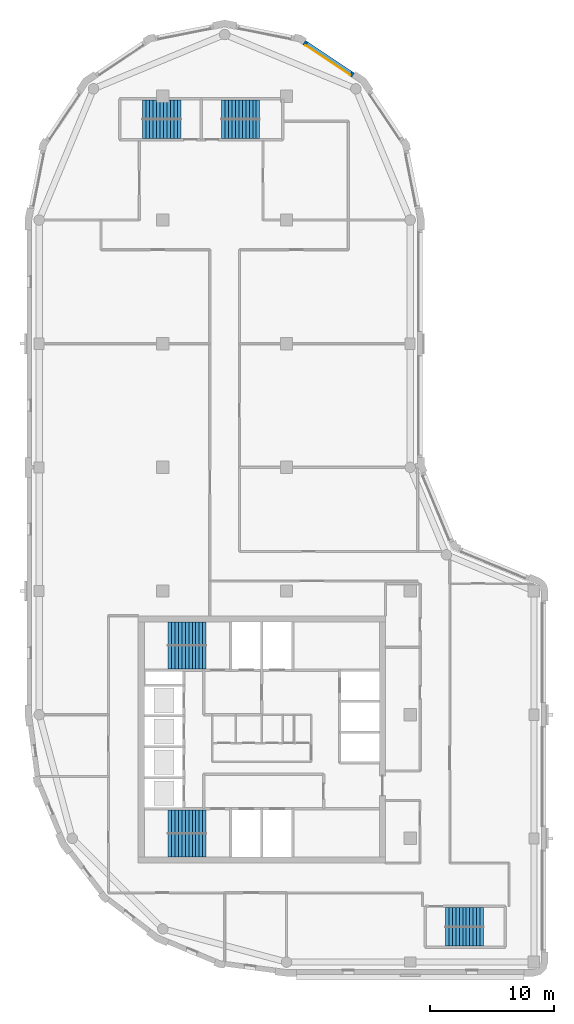
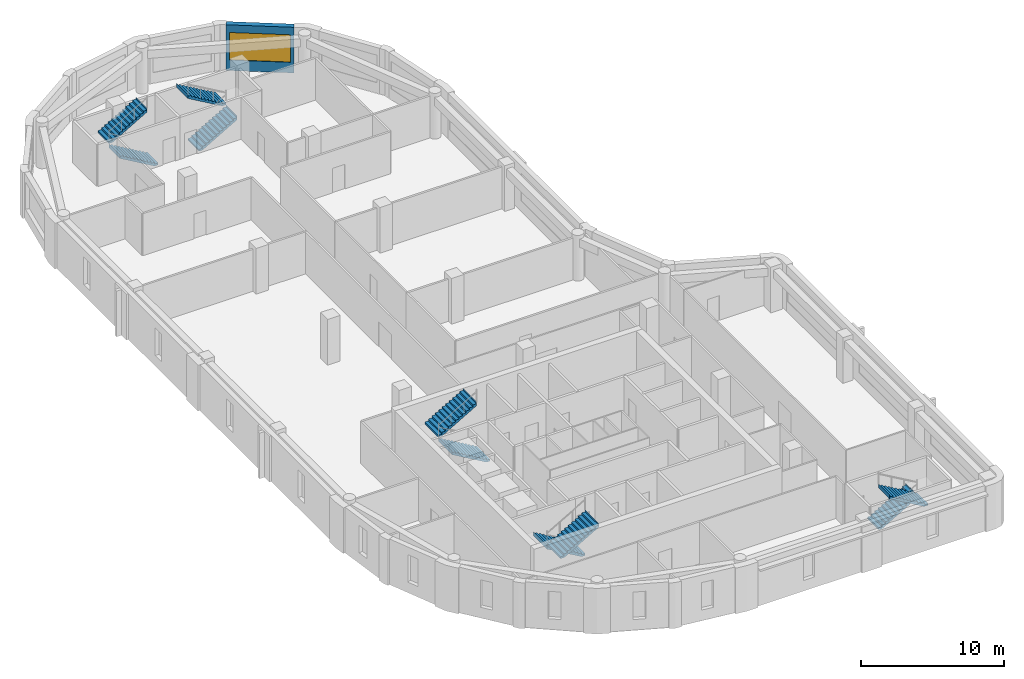
# One storey, part 6 of 8: 10 stair flights, 1 wall, 1 window, 1 opening, 5 elements without a shape of their own.
"""IFC4 building model written with IfcOpenShell, lengths in metres."""

import ifcopenshell
import ifcopenshell.guid

model = None  # the IFC model being written
_history = None  # IfcOwnerHistory: only IFC2X3 demands one
_inside = {}  # id of a spatial element -> (the spatial element, [elements in it])
_under = {}  # id of a project, library or spatial element -> (it, [spatial elements below it])
_declared = {}  # id of a project -> (the project, [libraries it declares])
_typed = {}  # id of a type object -> (the type object, [elements of that type])
_made_of = {}  # id of a material, layer set ... -> (it, [elements and type objects made of it])


def new_model(schema):
    """Start an empty IFC model of exactly this schema.

    Asked for "IFC4X3", IfcOpenShell would pick the latest addendum, in which some entities
    have other attributes; the version numbers below select the first issue.
    IFC2X3 requires an IfcOwnerHistory on every rooted entity: one is made here for all.
    """
    global model, _history
    if schema == "IFC4X3":
        model = ifcopenshell.file(schema_version=(4, 3, 0, 0))
    else:
        model = ifcopenshell.file(schema=schema)
    _inside.clear()
    _under.clear()
    _declared.clear()
    _typed.clear()
    _made_of.clear()
    _history = None
    if model.schema == "IFC2X3":
        org = make("IfcOrganization", Name="unknown")
        user = make(
            "IfcPersonAndOrganization",
            ThePerson=make("IfcPerson", FamilyName="unknown"),
            TheOrganization=org,
        )
        app = make(
            "IfcApplication",
            ApplicationDeveloper=org,
            Version="unknown",
            ApplicationFullName="unknown",
            ApplicationIdentifier="unknown",
        )
        _history = make(
            "IfcOwnerHistory",
            OwningUser=user,
            OwningApplication=app,
            ChangeAction="ADDED",
            CreationDate=0,
        )
    return model


def make(cls, **values):
    """One entity of the class cls with the attributes given. An attribute that is None is left unset."""
    return model.create_entity(
        cls, **{name: value for name, value in values.items() if value is not None}
    )


def rooted(cls, **values):
    """An entity with a GlobalId (a new one), such as an element, a storey or a relation."""
    return make(cls, GlobalId=ifcopenshell.guid.new(), OwnerHistory=_history, **values)


def si_unit(unit_type, name, prefix=None):
    """IfcSIUnit, for example si_unit("LENGTHUNIT", "METRE", prefix="MILLI")."""
    return make("IfcSIUnit", UnitType=unit_type, Prefix=prefix, Name=name)


def assignment(units):
    """IfcUnitAssignment: the units of a project."""
    return None if units is None else make("IfcUnitAssignment", Units=units)


def point(xyz):
    """IfcCartesianPoint."""
    return None if xyz is None else make("IfcCartesianPoint", Coordinates=xyz)


def direction(xyz):
    """IfcDirection."""
    return None if xyz is None else make("IfcDirection", DirectionRatios=xyz)


def frame(location, z_axis=None, x_axis=None):
    """IfcAxis2Placement3D, a coordinate frame: its origin and axes. An axis left out is left unset."""
    return make(
        "IfcAxis2Placement3D",
        Location=point(location),
        Axis=direction(z_axis),
        RefDirection=direction(x_axis),
    )


def frame_2d(location, x_axis=None):
    """IfcAxis2Placement2D, a coordinate frame in the plane: its origin and x axis."""
    return make(
        "IfcAxis2Placement2D", Location=point(location), RefDirection=direction(x_axis)
    )


def origin():
    """The frame at (0, 0, 0) with its axes left unset."""
    return frame((0.0, 0.0, 0.0))


def place(relative_to, where):
    """IfcLocalPlacement: puts the frame where relative to a parent placement (None: the world)."""
    return make(
        "IfcLocalPlacement", PlacementRelTo=relative_to, RelativePlacement=where
    )


def context(
    kind, dimensions, precision=None, world=None, true_north=None, identifier=None
):
    """IfcGeometricRepresentationContext, for example the 3D "Model" context."""
    return make(
        "IfcGeometricRepresentationContext",
        ContextIdentifier=identifier,
        ContextType=kind,
        CoordinateSpaceDimension=dimensions,
        Precision=precision,
        WorldCoordinateSystem=world,
        TrueNorth=true_north,
    )


def subcontext(parent, identifier, kind, view, scale=None):
    """IfcGeometricRepresentationSubContext, for example "Body" below "Model"."""
    return make(
        "IfcGeometricRepresentationSubContext",
        ContextIdentifier=identifier,
        ContextType=kind,
        ParentContext=parent,
        TargetScale=scale,
        TargetView=view,
    )


def project(units=None, contexts=None):
    """IfcProject with its units and contexts."""
    return rooted(
        "IfcProject",
        Name="project",
        RepresentationContexts=contexts,
        UnitsInContext=assignment(units),
    )


def spatial(cls, under=None, at=None, **own):
    """A site, building, storey or space (cls), placed at a placement, below another one or the project."""
    s = rooted(cls, ObjectPlacement=at, **own)
    if under is not None:
        _under.setdefault(under.id(), (under, []))[1].append(s)
    return s


def polyline(points):
    """IfcPolyline through the points."""
    return make("IfcPolyline", Points=[point(p) for p in points])


def profile(cls, at=None, kind="AREA", **sizes):
    """A parametric profile (cls). Its sizes go by their IFC names, for example OverallWidth=200.0."""
    return make(cls, ProfileType=kind, Position=at, **sizes)


def rectangle(**sizes):
    """IfcRectangleProfileDef."""
    return profile("IfcRectangleProfileDef", **sizes)


def outline(outer, holes=None, kind="AREA"):
    """IfcArbitraryClosedProfileDef: a profile drawn as a closed curve; with holes, ...WithVoids."""
    if holes is None:
        return make("IfcArbitraryClosedProfileDef", ProfileType=kind, OuterCurve=outer)
    return make(
        "IfcArbitraryProfileDefWithVoids",
        ProfileType=kind,
        OuterCurve=outer,
        InnerCurves=holes,
    )


def extrude(swept, where, along, depth):
    """IfcExtrudedAreaSolid: the profile swept, set in the frame where, extruded along a direction by depth."""
    return make(
        "IfcExtrudedAreaSolid",
        SweptArea=swept,
        Position=where,
        ExtrudedDirection=direction(along),
        Depth=depth,
    )


def shape(context_of_items, identifier, shape_type, items):
    """IfcShapeRepresentation: the items that make up one representation, for example the "Body"."""
    return make(
        "IfcShapeRepresentation",
        ContextOfItems=context_of_items,
        RepresentationIdentifier=identifier,
        RepresentationType=shape_type,
        Items=items,
    )


def material(Name=None, Category=None):
    """IfcMaterial."""
    return make("IfcMaterial", Name=Name, Category=Category)


def layer(
    of_material, thickness, ventilated=None, Name=None, Category=None, Priority=None
):
    """IfcMaterialLayer: one layer of a wall or slab, of a material (None: an air gap)."""
    return make(
        "IfcMaterialLayer",
        Material=of_material,
        LayerThickness=thickness,
        IsVentilated=ventilated,
        Name=Name,
        Category=Category,
        Priority=Priority,
    )


def layer_set(layers, Name=None):
    """IfcMaterialLayerSet."""
    return make("IfcMaterialLayerSet", MaterialLayers=layers, LayerSetName=Name)


def made_of(thing, what):
    """Note that an element or type object is made of a material, layer set ...; save() writes the relation."""
    if what is not None:
        _made_of.setdefault(what.id(), (what, []))[1].append(thing)
    return thing


def type_object(cls, material=None, **own):
    """A type object (cls), such as IfcWallType, which elements share."""
    return made_of(rooted(cls, **own), material)


def element(
    cls,
    number,
    at=None,
    inside=None,
    cuts=None,
    type_object=None,
    material=None,
    context=None,
    identifier="Body",
    shape_type=None,
    held_by="IfcProductDefinitionShape",
    body=None,
    shapes=None,
    **own,
):
    """One element of the class cls, such as IfcWall. Its Tag is "e" and its number.

    at: its placement. inside: the storey or other place that contains it. cuts: it is an
    opening in that element (IfcRelVoidsElement). A single representation is given by context,
    identifier, shape_type and body (its items); several are given by shapes. held_by: the class
    of the entity that holds the representations. save() writes the other relations.
    """
    e = rooted(cls, Tag="e%d" % number, ObjectPlacement=at, **own)
    if body is not None:
        shapes = [shape(context, identifier, shape_type, body)]
    if shapes is not None:
        e.Representation = make(held_by, Representations=shapes)
    if inside is not None:
        _inside.setdefault(inside.id(), (inside, []))[1].append(e)
    if cuts is not None:
        rooted(
            "IfcRelVoidsElement", RelatingBuildingElement=cuts, RelatedOpeningElement=e
        )
    if type_object is not None:
        _typed.setdefault(type_object.id(), (type_object, []))[1].append(e)
    return made_of(e, material)


def fill(opening, filler):
    """IfcRelFillsElement: the door or window that sits in an opening."""
    return rooted(
        "IfcRelFillsElement",
        RelatingOpeningElement=opening,
        RelatedBuildingElement=filler,
    )


def aggregate(whole, parts):
    """IfcRelAggregates: a whole, such as a stair, and the parts it consists of."""
    return rooted("IfcRelAggregates", RelatingObject=whole, RelatedObjects=parts)


def save(model, path):
    """Write the relations noted so far, then the file.

    IfcRelAggregates (storeys below a building ...), IfcRelContainedInSpatialStructure (elements
    in a storey), IfcRelDefinesByType, IfcRelAssociatesMaterial and IfcRelDeclares: one each for
    every whole, place, type object, material and project.
    """
    for whole, parts in _under.values():
        aggregate(whole, parts)
    for where, things in _inside.values():
        rooted(
            "IfcRelContainedInSpatialStructure",
            RelatedElements=things,
            RelatingStructure=where,
        )
    for kind, things in _typed.values():
        rooted("IfcRelDefinesByType", RelatedObjects=things, RelatingType=kind)
    for what, things in _made_of.values():
        rooted("IfcRelAssociatesMaterial", RelatedObjects=things, RelatingMaterial=what)
    for by, libraries in _declared.values():
        rooted("IfcRelDeclares", RelatingContext=by, RelatedDefinitions=libraries)
    model.write(path)


model = new_model("IFC4")

# Units and contexts
model_context = context("Model", 3, precision=1e-05, world=origin(), true_north=direction((0.0, 1.0)))
body_context = subcontext(model_context, "Body", "Model", "MODEL_VIEW")
ifc_project = project(units=[si_unit("LENGTHUNIT", "METRE"), si_unit("AREAUNIT", "SQUARE_METRE"), si_unit("VOLUMEUNIT", "CUBIC_METRE"), si_unit("PLANEANGLEUNIT", "RADIAN"), si_unit("MASSUNIT", "GRAM", prefix="KILO")], contexts=[model_context])

# Site, building, storey
site_placement = place(None, origin())
site = spatial("IfcSite", under=ifc_project, at=site_placement, CompositionType="ELEMENT")
building_placement = place(site_placement, origin())
building = spatial("IfcBuilding", under=site, at=building_placement, Name="Qaws Garden Tower", CompositionType="ELEMENT")
storey_placement = place(building_placement, frame((0.0, 0.0, 294.300048828125)))
storey = spatial("IfcBuildingStorey", under=building, at=storey_placement, Name="L71", CompositionType="ELEMENT", Elevation=294.300048828125)

# Wall, opening, window
ifc_material_1 = material(Name="Clay facing brick masonry", Category="masonry")
ifc_layer = layer(ifc_material_1, 0.39990234375)
ifc_layer_set = layer_set([ifc_layer], Name="Clay facing brick masonry")
wall_type = type_object("IfcWallType", Name="Brick infill wall 400", PredefinedType="SOLIDWALL", material=ifc_layer_set)
wall_placement = place(storey_placement, frame((25.385986328125, 71.71630859375, 0.0), z_axis=(0.0, 0.0, 1.0), x_axis=(-0.831488775454, 0.555541552266, 0.0)))
wall = element("IfcWall", 1, at=wall_placement, inside=storey, type_object=wall_type, Name="E-L71-infill-11", PredefinedType="SOLIDWALL", context=body_context, shape_type="SweptSolid", body=[
    extrude(rectangle(XDim=4.752685546875, YDim=0.39990234375, at=frame_2d((2.37646484375, 0.0))), origin(), (0.0, 0.0, 1.0), 3.89990234375),
])
opening_placement = place(wall_placement, frame((0.226318359375, 0.0, 0.89990234375)))
opening = element("IfcOpeningElement", 2, at=opening_placement, cuts=wall, Name="Opening W06", PredefinedType="OPENING", context=body_context, shape_type="SweptSolid", body=[
    extrude(rectangle(XDim=4.300048828125, YDim=2.35009765625, at=frame_2d((2.14990234375, 1.175048828125))), frame((0.0, 0.2099609375, 0.0), z_axis=(0.0, -1.0, 0.0), x_axis=(1.0, 0.0, 0.0)), (0.0, 0.0, 1.0), 0.419921875),
])
ifc_material_2 = material(Name="Aluminium framed window, clear glazing", Category="aluminium")
window_type = type_object("IfcWindowType", Name="Ribbon window 4300 x 2350", PartitioningType="DOUBLE_PANEL_VERTICAL", PredefinedType="WINDOW", material=ifc_material_2)
window_placement = place(opening_placement, origin())
window = element("IfcWindow", 3, at=window_placement, inside=storey, type_object=window_type, Name="E-L71-window-11-0", OverallHeight=2.35009765625, OverallWidth=4.300048828125, PartitioningType="SINGLE_PANEL", PredefinedType="WINDOW", context=body_context, shape_type="SweptSolid", body=[
    extrude(rectangle(XDim=4.300048828125, YDim=2.35009765625, at=frame_2d((2.14990234375, 1.175048828125))), frame((0.0, 0.159912109375, 0.0), z_axis=(0.0, -1.0, 0.0), x_axis=(1.0, 0.0, 0.0)), (0.0, 0.0, 1.0), 0.06005859375),
])
fill(opening, window)

# Stair, stair flights
ifc_material_3 = material(Name="Concrete C40", Category="concrete")
stair_type_1 = type_object("IfcStairType", Name="Exit stair 1350", PredefinedType="HALF_TURN_STAIR", material=ifc_material_3)
placement = place(storey_placement, origin())
stair_1 = element("IfcStair", 4, at=placement, inside=storey, type_object=stair_type_1, Name="Stair 5", PredefinedType="HALF_TURN_STAIR")
ifc_material_4 = material(Name="Concrete C40", Category="concrete")
stair_flight_type_1 = type_object("IfcStairFlightType", Name="Stair flight 1350", PredefinedType="STRAIGHT", material=ifc_material_4)
stair_flight_1_placement = place(storey_placement, frame((32.85009765625, 3.625, 0.0), z_axis=(0.0, 0.0, 1.0), x_axis=(1.0, 0.0, 0.0)))
stair_flight_1 = element("IfcStairFlight", 5, at=stair_flight_1_placement, type_object=stair_flight_type_1, Name="ST5 flight 1", NumberOfRisers=12, NumberOfTreads=11, PredefinedType="STRAIGHT", RiserHeight=0.1625, TreadLength=0.28, context=body_context, shape_type="SweptSolid", body=[
    extrude(outline(polyline([(-0.0029296875, 0.0), (-0.0029296875, 0.16259765625), (0.0, 0.16259765625), (0.280029296875, 0.16259765625), (0.280029296875, 0.324951171875), (0.56005859375, 0.324951171875), (0.56005859375, 0.487548828125), (0.840087890625, 0.487548828125), (0.840087890625, 0.64990234375), (1.1201171875, 0.64990234375), (1.1201171875, 0.8125), (1.39990234375, 0.8125), (1.39990234375, 0.97509765625), (1.679931640625, 0.97509765625), (1.679931640625, 1.137451171875), (1.9599609375, 1.137451171875), (1.9599609375, 1.300048828125), (2.239990234375, 1.300048828125), (2.239990234375, 1.46240234375), (2.52001953125, 1.46240234375), (2.52001953125, 1.625), (2.800048828125, 1.625), (2.800048828125, 1.78759765625), (3.080078125, 1.78759765625), (3.080078125, 1.949951171875), (3.0830078125, 1.949951171875), (3.0830078125, 1.6142578125), (3.080078125, 1.6142578125), (0.298583984375, 0.0), (-0.0029296875, 0.0)])), frame((0.0, 0.77490234375, 0.0), z_axis=(0.0, -1.0, 0.0), x_axis=(1.0, 0.0, 0.0)), (0.0, 0.0, 1.0), 1.550048828125),
])
stair_flight_2_placement = place(storey_placement, frame((35.929931640625, 2.074951171875, 1.949951171875), z_axis=(0.0, 0.0, 1.0), x_axis=(-1.0, 0.0, 0.0)))
stair_flight_2 = element("IfcStairFlight", 6, at=stair_flight_2_placement, type_object=stair_flight_type_1, Name="ST5 flight 2", NumberOfRisers=12, NumberOfTreads=11, PredefinedType="STRAIGHT", RiserHeight=0.1625, TreadLength=0.28, context=body_context, shape_type="SweptSolid", body=[
    extrude(outline(polyline([(-0.0029296875, 0.0), (-0.0029296875, 0.16259765625), (0.0, 0.16259765625), (0.280029296875, 0.16259765625), (0.280029296875, 0.324951171875), (0.56005859375, 0.324951171875), (0.56005859375, 0.487548828125), (0.840087890625, 0.487548828125), (0.840087890625, 0.64990234375), (1.1201171875, 0.64990234375), (1.1201171875, 0.8125), (1.39990234375, 0.8125), (1.39990234375, 0.97509765625), (1.679931640625, 0.97509765625), (1.679931640625, 1.137451171875), (1.9599609375, 1.137451171875), (1.9599609375, 1.300048828125), (2.239990234375, 1.300048828125), (2.239990234375, 1.46240234375), (2.52001953125, 1.46240234375), (2.52001953125, 1.625), (2.800048828125, 1.625), (2.800048828125, 1.78759765625), (3.080078125, 1.78759765625), (3.080078125, 1.949951171875), (3.0830078125, 1.949951171875), (3.0830078125, 1.6142578125), (3.080078125, 1.6142578125), (0.298583984375, 0.0), (-0.0029296875, 0.0)])), frame((0.0, 0.77490234375, 0.0), z_axis=(0.0, -1.0, 0.0), x_axis=(1.0, 0.0, 0.0)), (0.0, 0.0, 1.0), 1.550048828125),
])
aggregate(stair_1, [stair_flight_1, stair_flight_2])

stair_2 = element("IfcStair", 7, at=placement, inside=storey, type_object=stair_type_1, Name="Stair 6", PredefinedType="HALF_TURN_STAIR")
stair_flight_3_placement = place(storey_placement, frame((11.449951171875, 67.375, 0.0), z_axis=(0.0, 0.0, 1.0), x_axis=(-1.0, 0.0, 0.0)))
stair_flight_3 = element("IfcStairFlight", 8, at=stair_flight_3_placement, type_object=stair_flight_type_1, Name="ST6 flight 1", NumberOfRisers=12, NumberOfTreads=11, PredefinedType="STRAIGHT", RiserHeight=0.1625, TreadLength=0.28, context=body_context, shape_type="SweptSolid", body=[
    extrude(outline(polyline([(-0.0029296875, 0.0), (-0.0029296875, 0.16259765625), (0.0, 0.16259765625), (0.280029296875, 0.16259765625), (0.280029296875, 0.324951171875), (0.56005859375, 0.324951171875), (0.56005859375, 0.487548828125), (0.840087890625, 0.487548828125), (0.840087890625, 0.64990234375), (1.1201171875, 0.64990234375), (1.1201171875, 0.8125), (1.39990234375, 0.8125), (1.39990234375, 0.97509765625), (1.679931640625, 0.97509765625), (1.679931640625, 1.137451171875), (1.9599609375, 1.137451171875), (1.9599609375, 1.300048828125), (2.239990234375, 1.300048828125), (2.239990234375, 1.46240234375), (2.52001953125, 1.46240234375), (2.52001953125, 1.625), (2.800048828125, 1.625), (2.800048828125, 1.78759765625), (3.080078125, 1.78759765625), (3.080078125, 1.949951171875), (3.0830078125, 1.949951171875), (3.0830078125, 1.6142578125), (3.080078125, 1.6142578125), (0.298583984375, 0.0), (-0.0029296875, 0.0)])), frame((0.0, 0.77490234375, 0.0), z_axis=(0.0, -1.0, 0.0), x_axis=(1.0, 0.0, 0.0)), (0.0, 0.0, 1.0), 1.550048828125),
])
stair_flight_4_placement = place(storey_placement, frame((8.3701171875, 68.925048828125, 1.949951171875), z_axis=(0.0, 0.0, 1.0), x_axis=(1.0, 0.0, 0.0)))
stair_flight_4 = element("IfcStairFlight", 9, at=stair_flight_4_placement, type_object=stair_flight_type_1, Name="ST6 flight 2", NumberOfRisers=12, NumberOfTreads=11, PredefinedType="STRAIGHT", RiserHeight=0.1625, TreadLength=0.28, context=body_context, shape_type="SweptSolid", body=[
    extrude(outline(polyline([(-0.0029296875, 0.0), (-0.0029296875, 0.16259765625), (0.0, 0.16259765625), (0.280029296875, 0.16259765625), (0.280029296875, 0.324951171875), (0.56005859375, 0.324951171875), (0.56005859375, 0.487548828125), (0.840087890625, 0.487548828125), (0.840087890625, 0.64990234375), (1.1201171875, 0.64990234375), (1.1201171875, 0.8125), (1.39990234375, 0.8125), (1.39990234375, 0.97509765625), (1.679931640625, 0.97509765625), (1.679931640625, 1.137451171875), (1.9599609375, 1.137451171875), (1.9599609375, 1.300048828125), (2.239990234375, 1.300048828125), (2.239990234375, 1.46240234375), (2.52001953125, 1.46240234375), (2.52001953125, 1.625), (2.800048828125, 1.625), (2.800048828125, 1.78759765625), (3.080078125, 1.78759765625), (3.080078125, 1.949951171875), (3.0830078125, 1.949951171875), (3.0830078125, 1.6142578125), (3.080078125, 1.6142578125), (0.298583984375, 0.0), (-0.0029296875, 0.0)])), frame((0.0, 0.77490234375, 0.0), z_axis=(0.0, -1.0, 0.0), x_axis=(1.0, 0.0, 0.0)), (0.0, 0.0, 1.0), 1.550048828125),
])
aggregate(stair_2, [stair_flight_3, stair_flight_4])

stair_3 = element("IfcStair", 10, at=placement, inside=storey, type_object=stair_type_1, Name="Stair 7", PredefinedType="HALF_TURN_STAIR")
stair_flight_5_placement = place(storey_placement, frame((14.75, 67.375, 0.0), z_axis=(0.0, 0.0, 1.0), x_axis=(1.0, 0.0, 0.0)))
stair_flight_5 = element("IfcStairFlight", 11, at=stair_flight_5_placement, type_object=stair_flight_type_1, Name="ST7 flight 1", NumberOfRisers=12, NumberOfTreads=11, PredefinedType="STRAIGHT", RiserHeight=0.1625, TreadLength=0.28, context=body_context, shape_type="SweptSolid", body=[
    extrude(outline(polyline([(-0.0029296875, 0.0), (-0.0029296875, 0.16259765625), (0.0, 0.16259765625), (0.280029296875, 0.16259765625), (0.280029296875, 0.324951171875), (0.56005859375, 0.324951171875), (0.56005859375, 0.487548828125), (0.840087890625, 0.487548828125), (0.840087890625, 0.64990234375), (1.1201171875, 0.64990234375), (1.1201171875, 0.8125), (1.39990234375, 0.8125), (1.39990234375, 0.97509765625), (1.679931640625, 0.97509765625), (1.679931640625, 1.137451171875), (1.9599609375, 1.137451171875), (1.9599609375, 1.300048828125), (2.239990234375, 1.300048828125), (2.239990234375, 1.46240234375), (2.52001953125, 1.46240234375), (2.52001953125, 1.625), (2.800048828125, 1.625), (2.800048828125, 1.78759765625), (3.080078125, 1.78759765625), (3.080078125, 1.949951171875), (3.0830078125, 1.949951171875), (3.0830078125, 1.6142578125), (3.080078125, 1.6142578125), (0.298583984375, 0.0), (-0.0029296875, 0.0)])), frame((0.0, 0.77490234375, 0.0), z_axis=(0.0, -1.0, 0.0), x_axis=(1.0, 0.0, 0.0)), (0.0, 0.0, 1.0), 1.550048828125),
])
stair_flight_6_placement = place(storey_placement, frame((17.830078125, 68.925048828125, 1.949951171875), z_axis=(0.0, 0.0, 1.0), x_axis=(-1.0, 0.0, 0.0)))
stair_flight_6 = element("IfcStairFlight", 12, at=stair_flight_6_placement, type_object=stair_flight_type_1, Name="ST7 flight 2", NumberOfRisers=12, NumberOfTreads=11, PredefinedType="STRAIGHT", RiserHeight=0.1625, TreadLength=0.28, context=body_context, shape_type="SweptSolid", body=[
    extrude(outline(polyline([(-0.0029296875, 0.0), (-0.0029296875, 0.16259765625), (0.0, 0.16259765625), (0.280029296875, 0.16259765625), (0.280029296875, 0.324951171875), (0.56005859375, 0.324951171875), (0.56005859375, 0.487548828125), (0.840087890625, 0.487548828125), (0.840087890625, 0.64990234375), (1.1201171875, 0.64990234375), (1.1201171875, 0.8125), (1.39990234375, 0.8125), (1.39990234375, 0.97509765625), (1.679931640625, 0.97509765625), (1.679931640625, 1.137451171875), (1.9599609375, 1.137451171875), (1.9599609375, 1.300048828125), (2.239990234375, 1.300048828125), (2.239990234375, 1.46240234375), (2.52001953125, 1.46240234375), (2.52001953125, 1.625), (2.800048828125, 1.625), (2.800048828125, 1.78759765625), (3.080078125, 1.78759765625), (3.080078125, 1.949951171875), (3.0830078125, 1.949951171875), (3.0830078125, 1.6142578125), (3.080078125, 1.6142578125), (0.298583984375, 0.0), (-0.0029296875, 0.0)])), frame((0.0, 0.77490234375, 0.0), z_axis=(0.0, -1.0, 0.0), x_axis=(1.0, 0.0, 0.0)), (0.0, 0.0, 1.0), 1.550048828125),
])
aggregate(stair_3, [stair_flight_5, stair_flight_6])

ifc_material_5 = material(Name="Concrete C40", Category="concrete")
stair_type_2 = type_object("IfcStairType", Name="Exit stair 1500", PredefinedType="HALF_TURN_STAIR", material=ifc_material_5)
stair_4 = element("IfcStair", 13, at=placement, inside=storey, type_object=stair_type_2, Name="Stair 1", PredefinedType="HALF_TURN_STAIR")
ifc_material_6 = material(Name="Concrete C40", Category="concrete")
stair_flight_type_2 = type_object("IfcStairFlightType", Name="Stair flight 1500", PredefinedType="STRAIGHT", material=ifc_material_6)
stair_flight_7_placement = place(storey_placement, frame((13.5, 11.35009765625, 0.0), z_axis=(0.0, 0.0, 1.0), x_axis=(-1.0, 0.0, 0.0)))
stair_flight_7 = element("IfcStairFlight", 14, at=stair_flight_7_placement, type_object=stair_flight_type_2, Name="ST1 flight 1", NumberOfRisers=12, NumberOfTreads=11, PredefinedType="STRAIGHT", RiserHeight=0.1625, TreadLength=0.28, context=body_context, shape_type="SweptSolid", body=[
    extrude(outline(polyline([(-0.0029296875, 0.0), (-0.0029296875, 0.16259765625), (0.0, 0.16259765625), (0.280029296875, 0.16259765625), (0.280029296875, 0.324951171875), (0.56005859375, 0.324951171875), (0.56005859375, 0.487548828125), (0.840087890625, 0.487548828125), (0.840087890625, 0.64990234375), (1.1201171875, 0.64990234375), (1.1201171875, 0.8125), (1.39990234375, 0.8125), (1.39990234375, 0.97509765625), (1.679931640625, 0.97509765625), (1.679931640625, 1.137451171875), (1.9599609375, 1.137451171875), (1.9599609375, 1.300048828125), (2.239990234375, 1.300048828125), (2.239990234375, 1.46240234375), (2.52001953125, 1.46240234375), (2.52001953125, 1.625), (2.800048828125, 1.625), (2.800048828125, 1.78759765625), (3.080078125, 1.78759765625), (3.080078125, 1.949951171875), (3.0830078125, 1.949951171875), (3.0830078125, 1.6142578125), (3.080078125, 1.6142578125), (0.298583984375, 0.0), (-0.0029296875, 0.0)])), frame((0.0, 0.949951171875, 0.0), z_axis=(0.0, -1.0, 0.0), x_axis=(1.0, 0.0, 0.0)), (0.0, 0.0, 1.0), 1.89990234375),
])
stair_flight_8_placement = place(storey_placement, frame((10.419921875, 9.449951171875, 1.949951171875), z_axis=(0.0, 0.0, 1.0), x_axis=(1.0, 0.0, 0.0)))
stair_flight_8 = element("IfcStairFlight", 15, at=stair_flight_8_placement, type_object=stair_flight_type_2, Name="ST1 flight 2", NumberOfRisers=12, NumberOfTreads=11, PredefinedType="STRAIGHT", RiserHeight=0.1625, TreadLength=0.28, context=body_context, shape_type="SweptSolid", body=[
    extrude(outline(polyline([(-0.0029296875, 0.0), (-0.0029296875, 0.16259765625), (0.0, 0.16259765625), (0.280029296875, 0.16259765625), (0.280029296875, 0.324951171875), (0.56005859375, 0.324951171875), (0.56005859375, 0.487548828125), (0.840087890625, 0.487548828125), (0.840087890625, 0.64990234375), (1.1201171875, 0.64990234375), (1.1201171875, 0.8125), (1.39990234375, 0.8125), (1.39990234375, 0.97509765625), (1.679931640625, 0.97509765625), (1.679931640625, 1.137451171875), (1.9599609375, 1.137451171875), (1.9599609375, 1.300048828125), (2.239990234375, 1.300048828125), (2.239990234375, 1.46240234375), (2.52001953125, 1.46240234375), (2.52001953125, 1.625), (2.800048828125, 1.625), (2.800048828125, 1.78759765625), (3.080078125, 1.78759765625), (3.080078125, 1.949951171875), (3.0830078125, 1.949951171875), (3.0830078125, 1.6142578125), (3.080078125, 1.6142578125), (0.298583984375, 0.0), (-0.0029296875, 0.0)])), frame((0.0, 0.949951171875, 0.0), z_axis=(0.0, -1.0, 0.0), x_axis=(1.0, 0.0, 0.0)), (0.0, 0.0, 1.0), 1.89990234375),
])
aggregate(stair_4, [stair_flight_7, stair_flight_8])

stair_5 = element("IfcStair", 16, at=placement, inside=storey, type_object=stair_type_2, Name="Stair 4", PredefinedType="HALF_TURN_STAIR")
stair_flight_9_placement = place(storey_placement, frame((13.5, 24.64990234375, 0.0), z_axis=(0.0, 0.0, 1.0), x_axis=(-1.0, 0.0, 0.0)))
stair_flight_9 = element("IfcStairFlight", 17, at=stair_flight_9_placement, type_object=stair_flight_type_2, Name="ST4 flight 1", NumberOfRisers=12, NumberOfTreads=11, PredefinedType="STRAIGHT", RiserHeight=0.1625, TreadLength=0.28, context=body_context, shape_type="SweptSolid", body=[
    extrude(outline(polyline([(-0.0029296875, 0.0), (-0.0029296875, 0.16259765625), (0.0, 0.16259765625), (0.280029296875, 0.16259765625), (0.280029296875, 0.324951171875), (0.56005859375, 0.324951171875), (0.56005859375, 0.487548828125), (0.840087890625, 0.487548828125), (0.840087890625, 0.64990234375), (1.1201171875, 0.64990234375), (1.1201171875, 0.8125), (1.39990234375, 0.8125), (1.39990234375, 0.97509765625), (1.679931640625, 0.97509765625), (1.679931640625, 1.137451171875), (1.9599609375, 1.137451171875), (1.9599609375, 1.300048828125), (2.239990234375, 1.300048828125), (2.239990234375, 1.46240234375), (2.52001953125, 1.46240234375), (2.52001953125, 1.625), (2.800048828125, 1.625), (2.800048828125, 1.78759765625), (3.080078125, 1.78759765625), (3.080078125, 1.949951171875), (3.0830078125, 1.949951171875), (3.0830078125, 1.6142578125), (3.080078125, 1.6142578125), (0.298583984375, 0.0), (-0.0029296875, 0.0)])), frame((0.0, 0.94482421875, 0.0), z_axis=(0.0, -1.0, 0.0), x_axis=(1.0, 0.0, 0.0)), (0.0, 0.0, 1.0), 1.889892578125),
])
stair_flight_10_placement = place(storey_placement, frame((10.419921875, 26.550048828125, 1.949951171875), z_axis=(0.0, 0.0, 1.0), x_axis=(1.0, 0.0, 0.0)))
stair_flight_10 = element("IfcStairFlight", 18, at=stair_flight_10_placement, type_object=stair_flight_type_2, Name="ST4 flight 2", NumberOfRisers=12, NumberOfTreads=11, PredefinedType="STRAIGHT", RiserHeight=0.1625, TreadLength=0.28, context=body_context, shape_type="SweptSolid", body=[
    extrude(outline(polyline([(-0.0029296875, 0.0), (-0.0029296875, 0.16259765625), (0.0, 0.16259765625), (0.280029296875, 0.16259765625), (0.280029296875, 0.324951171875), (0.56005859375, 0.324951171875), (0.56005859375, 0.487548828125), (0.840087890625, 0.487548828125), (0.840087890625, 0.64990234375), (1.1201171875, 0.64990234375), (1.1201171875, 0.8125), (1.39990234375, 0.8125), (1.39990234375, 0.97509765625), (1.679931640625, 0.97509765625), (1.679931640625, 1.137451171875), (1.9599609375, 1.137451171875), (1.9599609375, 1.300048828125), (2.239990234375, 1.300048828125), (2.239990234375, 1.46240234375), (2.52001953125, 1.46240234375), (2.52001953125, 1.625), (2.800048828125, 1.625), (2.800048828125, 1.78759765625), (3.080078125, 1.78759765625), (3.080078125, 1.949951171875), (3.0830078125, 1.949951171875), (3.0830078125, 1.6142578125), (3.080078125, 1.6142578125), (0.298583984375, 0.0), (-0.0029296875, 0.0)])), frame((0.0, 0.94482421875, 0.0), z_axis=(0.0, -1.0, 0.0), x_axis=(1.0, 0.0, 0.0)), (0.0, 0.0, 1.0), 1.889892578125),
])
aggregate(stair_5, [stair_flight_9, stair_flight_10])

save(model, "model.ifc")
